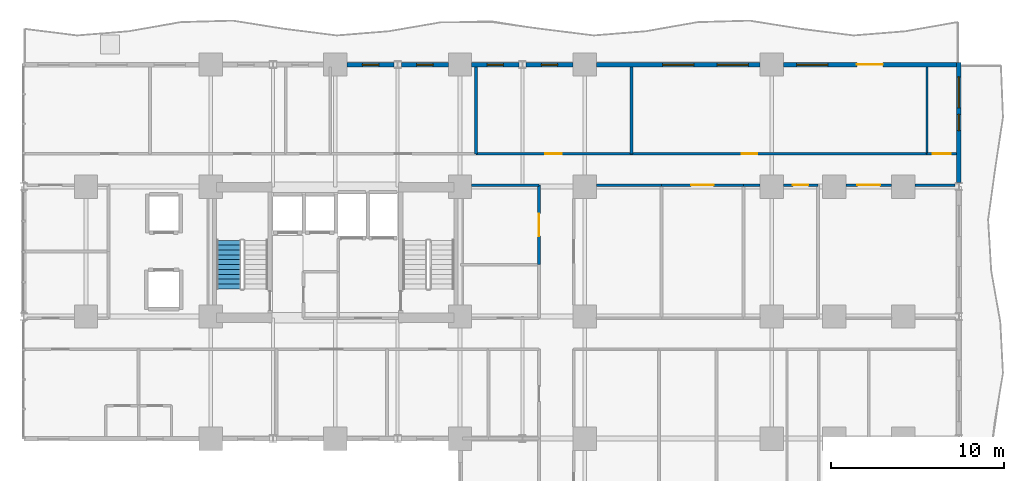
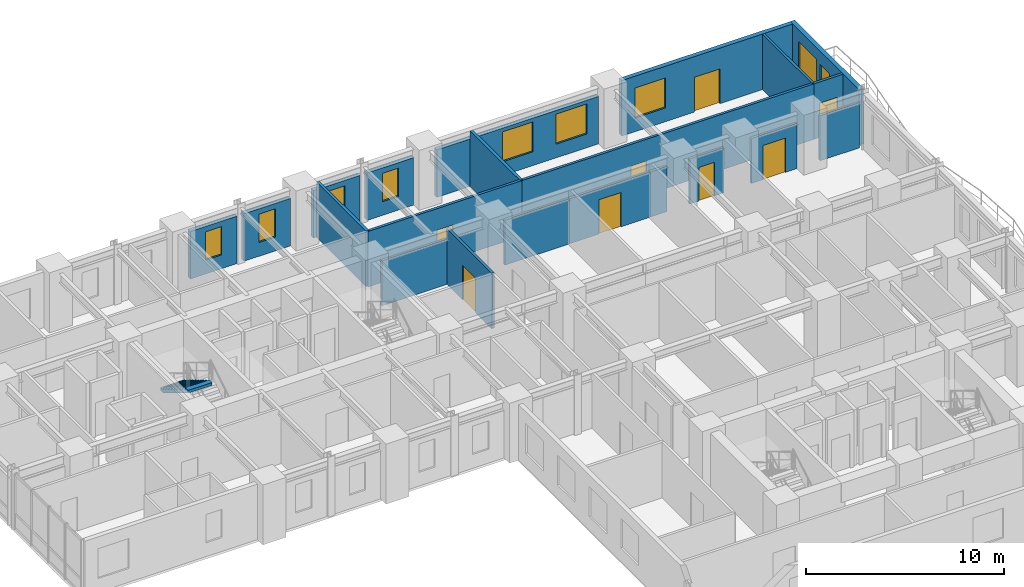
# One storey, part 15 of 19: 21 walls, 9 windows, 8 doors, 1 stair flight, 17 openings, 1 element without a shape of its own.
"""IFC4 building model written with IfcOpenShell, lengths in metres."""

from ifc_helpers import new_model, si_unit, direction, frame, frame_2d, origin, place, context, subcontext, project, spatial, polyline, rectangle, outline, extrude, material, layer, layer_set, type_object, element, fill, aggregate, save


model = new_model("IFC4")

# Units and contexts
model_context = context("Model", 3, precision=1e-05, world=origin(), true_north=direction((0.0, 1.0)))
body_context = subcontext(model_context, "Body", "Model", "MODEL_VIEW")
ifc_project = project(units=[si_unit("LENGTHUNIT", "METRE"), si_unit("AREAUNIT", "SQUARE_METRE"), si_unit("VOLUMEUNIT", "CUBIC_METRE"), si_unit("PLANEANGLEUNIT", "RADIAN"), si_unit("MASSUNIT", "GRAM", prefix="KILO")], contexts=[model_context])

# Site, building, storey
site_placement = place(None, origin())
site = spatial("IfcSite", under=ifc_project, at=site_placement, CompositionType="ELEMENT")
building_placement = place(site_placement, origin())
building = spatial("IfcBuilding", under=site, at=building_placement, Name="Kaliganga Portal Commons", CompositionType="ELEMENT")
storey_placement = place(building_placement, frame((0.0, 0.0, 32.699951171875)))
storey = spatial("IfcBuildingStorey", under=building, at=storey_placement, Name="L07", CompositionType="ELEMENT", Elevation=32.699951171875)

# Wall, openings, windows
ifc_material_1 = material(Name="Insulated Aluminium-Clad Spandrel Assembly", Category="aluminium")
ifc_layer_1 = layer(ifc_material_1, 0.260009765625)
ifc_layer_set_1 = layer_set([ifc_layer_1], Name="Insulated Aluminium-Clad Spandrel Assembly")
wall_type_1 = type_object("IfcWallType", Name="WL-EXT-SPAND-260", PredefinedType="STANDARD", material=ifc_layer_set_1)
wall_1_placement = place(storey_placement, frame((57.60009765625, 43.330078125, 0.0), z_axis=(0.0, 0.0, 1.0), x_axis=(0.0, -1.0, 0.0)))
wall_1 = element("IfcWall", 1, at=wall_1_placement, inside=storey, type_object=wall_type_1, Name="Exterior Envelope Wall L07 P1-E01-S6", PredefinedType="STANDARD", context=body_context, shape_type="SweptSolid", body=[
    extrude(rectangle(XDim=6.9560546875, YDim=0.260009765625, at=frame_2d((3.47802734375, 0.0))), origin(), (0.0, 0.0, 1.0), 3.429931640625),
])
opening_1_placement = place(wall_1_placement, frame((0.839111328125, 0.0, 0.85009765625)))
opening_1 = element("IfcOpeningElement", 2, at=opening_1_placement, cuts=wall_1, Name="Opening W-01", PredefinedType="OPENING", context=body_context, shape_type="SweptSolid", body=[
    extrude(rectangle(XDim=1.800048828125, YDim=1.85009765625, at=frame_2d((0.89990234375, 0.925048828125))), frame((0.0, 0.14013671875, 0.0), z_axis=(0.0, -1.0, 0.0), x_axis=(1.0, 0.0, 0.0)), (0.0, 0.0, 1.0), 0.280029296875),
])
opening_2_placement = place(wall_1_placement, frame((3.0029296875, 0.0, 0.85009765625)))
opening_2 = element("IfcOpeningElement", 3, at=opening_2_placement, cuts=wall_1, Name="Opening W-04", PredefinedType="OPENING", context=body_context, shape_type="SweptSolid", body=[
    extrude(rectangle(XDim=0.949951171875, YDim=1.75, at=frame_2d((0.47509765625, 0.875))), frame((0.0, 0.14013671875, 0.0), z_axis=(0.0, -1.0, 0.0), x_axis=(1.0, 0.0, 0.0)), (0.0, 0.0, 1.0), 0.280029296875),
])
ifc_material_2 = material(Name="Thermally Broken Aluminium and Low-E Double Glazing", Category="aluminium")
window_type_1 = type_object("IfcWindowType", Name="WIN-NARROW-950", PartitioningType="SINGLE_PANEL", PredefinedType="WINDOW", material=ifc_material_2)
window_1_placement = place(opening_2_placement, origin())
window_1 = element("IfcWindow", 4, at=window_1_placement, inside=storey, type_object=window_type_1, Name="Facade Window L07-P1E01S6-N0", OverallHeight=1.75, OverallWidth=0.949951171875, PartitioningType="SINGLE_PANEL", PredefinedType="WINDOW", context=body_context, shape_type="SweptSolid", body=[
    extrude(rectangle(XDim=0.949951171875, YDim=1.75, at=frame_2d((0.47509765625, 0.875))), frame((0.0, 0.030029296875, 0.0), z_axis=(0.0, -1.0, 0.0), x_axis=(1.0, 0.0, 0.0)), (0.0, 0.0, 1.0), 0.06005859375),
])
fill(opening_2, window_1)
window_type_2 = type_object("IfcWindowType", Name="WIN-STD-1800", PartitioningType="DOUBLE_PANEL_VERTICAL", PredefinedType="WINDOW", material=ifc_material_2)
window_2_placement = place(opening_1_placement, origin())
window_2 = element("IfcWindow", 5, at=window_2_placement, inside=storey, type_object=window_type_2, Name="Facade Window L07-P1E01S6-00", OverallHeight=1.85009765625, OverallWidth=1.800048828125, PartitioningType="SINGLE_PANEL", PredefinedType="WINDOW", context=body_context, shape_type="SweptSolid", body=[
    extrude(rectangle(XDim=1.800048828125, YDim=1.85009765625, at=frame_2d((0.89990234375, 0.925048828125))), frame((0.0, 0.030029296875, 0.0), z_axis=(0.0, -1.0, 0.0), x_axis=(1.0, 0.0, 0.0)), (0.0, 0.0, 1.0), 0.06005859375),
])
fill(opening_1, window_2)

# Wall, openings, door, window
wall_2_placement = place(storey_placement, frame((47.47607421875, 43.199951171875, 0.0), z_axis=(0.0, 0.0, 1.0), x_axis=(1.0, 0.0, 0.0)))
wall_2 = element("IfcWall", 6, at=wall_2_placement, inside=storey, type_object=wall_type_1, Name="Exterior Envelope Wall L07 P1-E02-S1", PredefinedType="STANDARD", context=body_context, shape_type="SweptSolid", body=[
    extrude(rectangle(XDim=9.989013671875, YDim=0.260009765625, at=frame_2d((4.99462890625, 0.0))), origin(), (0.0, 0.0, 1.0), 3.429931640625),
])
opening_3_placement = place(wall_2_placement, frame((4.2451171875, 0.0, 0.0)))
opening_3 = element("IfcOpeningElement", 7, at=opening_3_placement, cuts=wall_2, Name="Opening BD-01", PredefinedType="OPENING", context=body_context, shape_type="SweptSolid", body=[
    extrude(rectangle(XDim=1.5, YDim=2.14990234375, at=frame_2d((0.75, 1.074951171875))), frame((0.0, 0.14013671875, 0.0), z_axis=(0.0, -1.0, 0.0), x_axis=(1.0, 0.0, 0.0)), (0.0, 0.0, 1.0), 0.280029296875),
])
opening_4_placement = place(wall_2_placement, frame((0.764892578125, 0.0, 0.85009765625)))
opening_4 = element("IfcOpeningElement", 8, at=opening_4_placement, cuts=wall_2, Name="Opening W-01", PredefinedType="OPENING", context=body_context, shape_type="SweptSolid", body=[
    extrude(rectangle(XDim=1.800048828125, YDim=1.85009765625, at=frame_2d((0.89990234375, 0.925048828125))), frame((0.0, 0.14013671875, 0.0), z_axis=(0.0, -1.0, 0.0), x_axis=(1.0, 0.0, 0.0)), (0.0, 0.0, 1.0), 0.280029296875),
])
ifc_material_3 = material(Name="Anodized Aluminium and Laminated Safety Glass", Category="aluminium")
door_type_1 = type_object("IfcDoorType", Name="DR-BALC-1500", OperationType="SLIDING_TO_LEFT", PredefinedType="DOOR", material=ifc_material_3)
door_1_placement = place(opening_3_placement, origin())
door_1 = element("IfcDoor", 9, at=door_1_placement, inside=storey, type_object=door_type_1, Name="Balcony Sliding Door L07 balc_north", OperationType="SLIDING_TO_LEFT", OverallHeight=2.14990234375, OverallWidth=1.5, PredefinedType="DOOR", context=body_context, shape_type="SweptSolid", body=[
    extrude(rectangle(XDim=1.5, YDim=2.14990234375, at=frame_2d((0.75, 1.074951171875))), frame((0.0, 0.02490234375, 0.0), z_axis=(0.0, -1.0, 0.0), x_axis=(1.0, 0.0, 0.0)), (0.0, 0.0, 1.0), 0.050048828125),
])
fill(opening_3, door_1)
window_3_placement = place(opening_4_placement, origin())
window_3 = element("IfcWindow", 10, at=window_3_placement, inside=storey, type_object=window_type_2, Name="Facade Window L07-P1E02S1-00", OverallHeight=1.85009765625, OverallWidth=1.800048828125, PartitioningType="SINGLE_PANEL", PredefinedType="WINDOW", context=body_context, shape_type="SweptSolid", body=[
    extrude(rectangle(XDim=1.800048828125, YDim=1.85009765625, at=frame_2d((0.89990234375, 0.925048828125))), frame((0.0, 0.030029296875, 0.0), z_axis=(0.0, -1.0, 0.0), x_axis=(1.0, 0.0, 0.0)), (0.0, 0.0, 1.0), 0.06005859375),
])
fill(opening_4, window_3)

# Wall, openings, windows
wall_3_placement = place(storey_placement, frame((36.676025390625, 43.199951171875, 0.0), z_axis=(0.0, 0.0, 1.0), x_axis=(1.0, 0.0, 0.0)))
wall_3 = element("IfcWall", 11, at=wall_3_placement, inside=storey, type_object=wall_type_1, Name="Exterior Envelope Wall L07 P1-E02-S2", PredefinedType="STANDARD", context=body_context, shape_type="SweptSolid", body=[
    extrude(rectangle(XDim=9.447998046875, YDim=0.260009765625, at=frame_2d((4.72412109375, 0.0))), origin(), (0.0, 0.0, 1.0), 2.929931640625),
])
opening_5_placement = place(wall_3_placement, frame((3.823974609375, 0.0, 0.85009765625)))
opening_5 = element("IfcOpeningElement", 12, at=opening_5_placement, cuts=wall_3, Name="Opening W-01", PredefinedType="OPENING", context=body_context, shape_type="SweptSolid", body=[
    extrude(rectangle(XDim=1.800048828125, YDim=1.85009765625, at=frame_2d((0.89990234375, 0.925048828125))), frame((0.0, 0.14013671875, 0.0), z_axis=(0.0, -1.0, 0.0), x_axis=(1.0, 0.0, 0.0)), (0.0, 0.0, 1.0), 0.280029296875),
])
opening_6_placement = place(wall_3_placement, frame((6.973388671875, 0.0, 0.85009765625)))
opening_6 = element("IfcOpeningElement", 13, at=opening_6_placement, cuts=wall_3, Name="Opening W-01", PredefinedType="OPENING", context=body_context, shape_type="SweptSolid", body=[
    extrude(rectangle(XDim=1.800048828125, YDim=1.85009765625, at=frame_2d((0.89990234375, 0.925048828125))), frame((0.0, 0.14013671875, 0.0), z_axis=(0.0, -1.0, 0.0), x_axis=(1.0, 0.0, 0.0)), (0.0, 0.0, 1.0), 0.280029296875),
])
window_4_placement = place(opening_5_placement, origin())
window_4 = element("IfcWindow", 14, at=window_4_placement, inside=storey, type_object=window_type_2, Name="Facade Window L07-P1E02S2-01", OverallHeight=1.85009765625, OverallWidth=1.800048828125, PartitioningType="SINGLE_PANEL", PredefinedType="WINDOW", context=body_context, shape_type="SweptSolid", body=[
    extrude(rectangle(XDim=1.800048828125, YDim=1.85009765625, at=frame_2d((0.89990234375, 0.925048828125))), frame((0.0, 0.030029296875, 0.0), z_axis=(0.0, -1.0, 0.0), x_axis=(1.0, 0.0, 0.0)), (0.0, 0.0, 1.0), 0.06005859375),
])
fill(opening_5, window_4)
window_5_placement = place(opening_6_placement, origin())
window_5 = element("IfcWindow", 15, at=window_5_placement, inside=storey, type_object=window_type_2, Name="Facade Window L07-P1E02S2-02", OverallHeight=1.85009765625, OverallWidth=1.800048828125, PartitioningType="SINGLE_PANEL", PredefinedType="WINDOW", context=body_context, shape_type="SweptSolid", body=[
    extrude(rectangle(XDim=1.800048828125, YDim=1.85009765625, at=frame_2d((0.89990234375, 0.925048828125))), frame((0.0, 0.030029296875, 0.0), z_axis=(0.0, -1.0, 0.0), x_axis=(1.0, 0.0, 0.0)), (0.0, 0.0, 1.0), 0.06005859375),
])
fill(opening_6, window_5)

# Wall, opening, window
wall_4_placement = place(storey_placement, frame((32.60888671875, 43.199951171875, 0.0), z_axis=(0.0, 0.0, 1.0), x_axis=(1.0, 0.0, 0.0)))
wall_4 = element("IfcWall", 16, at=wall_4_placement, inside=storey, type_object=wall_type_1, Name="Exterior Envelope Wall L07 P1-E02-S3", PredefinedType="STANDARD", context=body_context, shape_type="SweptSolid", body=[
    extrude(rectangle(XDim=2.715087890625, YDim=0.260009765625, at=frame_2d((1.357421875, 0.0))), origin(), (0.0, 0.0, 1.0), 2.929931640625),
])
opening_7_placement = place(wall_4_placement, frame((0.882568359375, 0.0, 0.85009765625)))
opening_7 = element("IfcOpeningElement", 17, at=opening_7_placement, cuts=wall_4, Name="Opening W-04", PredefinedType="OPENING", context=body_context, shape_type="SweptSolid", body=[
    extrude(rectangle(XDim=0.949951171875, YDim=1.75, at=frame_2d((0.47509765625, 0.875))), frame((0.0, 0.14013671875, 0.0), z_axis=(0.0, -1.0, 0.0), x_axis=(1.0, 0.0, 0.0)), (0.0, 0.0, 1.0), 0.280029296875),
])
window_6_placement = place(opening_7_placement, origin())
window_6 = element("IfcWindow", 18, at=window_6_placement, inside=storey, type_object=window_type_1, Name="Facade Window L07-P1E02S3-00", OverallHeight=1.75, OverallWidth=0.949951171875, PartitioningType="SINGLE_PANEL", PredefinedType="WINDOW", context=body_context, shape_type="SweptSolid", body=[
    extrude(rectangle(XDim=0.949951171875, YDim=1.75, at=frame_2d((0.47509765625, 0.875))), frame((0.0, 0.030029296875, 0.0), z_axis=(0.0, -1.0, 0.0), x_axis=(1.0, 0.0, 0.0)), (0.0, 0.0, 1.0), 0.06005859375),
])
fill(opening_7, window_6)

wall_5_placement = place(storey_placement, frame((29.47607421875, 43.199951171875, 0.0), z_axis=(0.0, 0.0, 1.0), x_axis=(1.0, 0.0, 0.0)))
wall_5 = element("IfcWall", 19, at=wall_5_placement, inside=storey, type_object=wall_type_1, Name="Exterior Envelope Wall L07 P1-E02-S4", PredefinedType="STANDARD", context=body_context, shape_type="SweptSolid", body=[
    extrude(rectangle(XDim=2.71484375, YDim=0.260009765625, at=frame_2d((1.357421875, 0.0))), origin(), (0.0, 0.0, 1.0), 2.929931640625),
])
opening_8_placement = place(wall_5_placement, frame((0.882568359375, 0.0, 0.85009765625)))
opening_8 = element("IfcOpeningElement", 20, at=opening_8_placement, cuts=wall_5, Name="Opening W-04", PredefinedType="OPENING", context=body_context, shape_type="SweptSolid", body=[
    extrude(rectangle(XDim=0.949951171875, YDim=1.75, at=frame_2d((0.47509765625, 0.875))), frame((0.0, 0.14013671875, 0.0), z_axis=(0.0, -1.0, 0.0), x_axis=(1.0, 0.0, 0.0)), (0.0, 0.0, 1.0), 0.280029296875),
])
window_7_placement = place(opening_8_placement, origin())
window_7 = element("IfcWindow", 21, at=window_7_placement, inside=storey, type_object=window_type_1, Name="Facade Window L07-P1E02S4-00", OverallHeight=1.75, OverallWidth=0.949951171875, PartitioningType="SINGLE_PANEL", PredefinedType="WINDOW", context=body_context, shape_type="SweptSolid", body=[
    extrude(rectangle(XDim=0.949951171875, YDim=1.75, at=frame_2d((0.47509765625, 0.875))), frame((0.0, 0.030029296875, 0.0), z_axis=(0.0, -1.0, 0.0), x_axis=(1.0, 0.0, 0.0)), (0.0, 0.0, 1.0), 0.06005859375),
])
fill(opening_8, window_7)

wall_6_placement = place(storey_placement, frame((25.408935546875, 43.199951171875, 0.0), z_axis=(0.0, 0.0, 1.0), x_axis=(1.0, 0.0, 0.0)))
wall_6 = element("IfcWall", 22, at=wall_6_placement, inside=storey, type_object=wall_type_1, Name="Exterior Envelope Wall L07 P1-E02-S5", PredefinedType="STANDARD", context=body_context, shape_type="SweptSolid", body=[
    extrude(rectangle(XDim=2.715087890625, YDim=0.260009765625, at=frame_2d((1.357421875, 0.0))), origin(), (0.0, 0.0, 1.0), 2.929931640625),
])
opening_9_placement = place(wall_6_placement, frame((0.882568359375, 0.0, 0.85009765625)))
opening_9 = element("IfcOpeningElement", 23, at=opening_9_placement, cuts=wall_6, Name="Opening W-04", PredefinedType="OPENING", context=body_context, shape_type="SweptSolid", body=[
    extrude(rectangle(XDim=0.949951171875, YDim=1.75, at=frame_2d((0.47509765625, 0.875))), frame((0.0, 0.14013671875, 0.0), z_axis=(0.0, -1.0, 0.0), x_axis=(1.0, 0.0, 0.0)), (0.0, 0.0, 1.0), 0.280029296875),
])
window_8_placement = place(opening_9_placement, origin())
window_8 = element("IfcWindow", 24, at=window_8_placement, inside=storey, type_object=window_type_1, Name="Facade Window L07-P1E02S5-00", OverallHeight=1.75, OverallWidth=0.949951171875, PartitioningType="SINGLE_PANEL", PredefinedType="WINDOW", context=body_context, shape_type="SweptSolid", body=[
    extrude(rectangle(XDim=0.949951171875, YDim=1.75, at=frame_2d((0.47509765625, 0.875))), frame((0.0, 0.030029296875, 0.0), z_axis=(0.0, -1.0, 0.0), x_axis=(1.0, 0.0, 0.0)), (0.0, 0.0, 1.0), 0.06005859375),
])
fill(opening_9, window_8)

wall_7_placement = place(storey_placement, frame((22.27587890625, 43.199951171875, 0.0), z_axis=(0.0, 0.0, 1.0), x_axis=(1.0, 0.0, 0.0)))
wall_7 = element("IfcWall", 25, at=wall_7_placement, inside=storey, type_object=wall_type_1, Name="Exterior Envelope Wall L07 P1-E02-S6", PredefinedType="STANDARD", context=body_context, shape_type="SweptSolid", body=[
    extrude(rectangle(XDim=2.715087890625, YDim=0.260009765625, at=frame_2d((1.357421875, 0.0))), origin(), (0.0, 0.0, 1.0), 2.929931640625),
])
opening_10_placement = place(wall_7_placement, frame((0.882568359375, 0.0, 0.85009765625)))
opening_10 = element("IfcOpeningElement", 26, at=opening_10_placement, cuts=wall_7, Name="Opening W-04", PredefinedType="OPENING", context=body_context, shape_type="SweptSolid", body=[
    extrude(rectangle(XDim=0.949951171875, YDim=1.75, at=frame_2d((0.47509765625, 0.875))), frame((0.0, 0.14013671875, 0.0), z_axis=(0.0, -1.0, 0.0), x_axis=(1.0, 0.0, 0.0)), (0.0, 0.0, 1.0), 0.280029296875),
])
window_9_placement = place(opening_10_placement, origin())
window_9 = element("IfcWindow", 27, at=window_9_placement, inside=storey, type_object=window_type_1, Name="Facade Window L07-P1E02S6-00", OverallHeight=1.75, OverallWidth=0.949951171875, PartitioningType="SINGLE_PANEL", PredefinedType="WINDOW", context=body_context, shape_type="SweptSolid", body=[
    extrude(rectangle(XDim=0.949951171875, YDim=1.75, at=frame_2d((0.47509765625, 0.875))), frame((0.0, 0.030029296875, 0.0), z_axis=(0.0, -1.0, 0.0), x_axis=(1.0, 0.0, 0.0)), (0.0, 0.0, 1.0), 0.06005859375),
])
fill(opening_10, window_9)

# Wall, opening, door
ifc_material_4 = material(Name="Fire-Rated Gypsum Board on Steel Stud", Category="steel")
ifc_layer_2 = layer(ifc_material_4, 0.14990234375)
ifc_layer_set_2 = layer_set([ifc_layer_2], Name="Fire-Rated Gypsum Board on Steel Stud")
wall_type_2 = type_object("IfcWallType", Name="WL-PART-CORR-150", PredefinedType="PARTITIONING", material=ifc_layer_set_2)
wall_8_placement = place(storey_placement, frame((38.699951171875, 38.0400390625, 0.0), z_axis=(0.0, 0.0, 1.0), x_axis=(1.0, 0.0, 0.0)))
wall_8 = element("IfcWall", 28, at=wall_8_placement, inside=storey, type_object=wall_type_2, Name="Interior Partition L07-006", PredefinedType="PARTITIONING", context=body_context, shape_type="SweptSolid", body=[
    extrude(rectangle(XDim=17.06005859375, YDim=0.14990234375, at=frame_2d((8.530029296875, 0.0))), origin(), (0.0, 0.0, 1.0), 3.429931640625),
])
opening_11_placement = place(wall_8_placement, frame((6.3740234375, 0.0, 0.0)))
opening_11 = element("IfcOpeningElement", 29, at=opening_11_placement, cuts=wall_8, Name="Opening RD-01", PredefinedType="OPENING", context=body_context, shape_type="SweptSolid", body=[
    extrude(rectangle(XDim=0.89990234375, YDim=2.080078125, at=frame_2d((0.449951171875, 1.0400390625))), frame((0.0, 0.0849609375, 0.0), z_axis=(0.0, -1.0, 0.0), x_axis=(1.0, 0.0, 0.0)), (0.0, 0.0, 1.0), 0.169921875),
])
ifc_material_5 = material(Name="Engineered Timber Flush Door", Category="wood")
door_type_2 = type_object("IfcDoorType", Name="DR-ROOM-900", OperationType="NOTDEFINED", PredefinedType="DOOR", material=ifc_material_5)
door_2_placement = place(opening_11_placement, origin())
door_2 = element("IfcDoor", 30, at=door_2_placement, inside=storey, type_object=door_type_2, Name="Interior Door L07-AN06", OperationType="SINGLE_SWING_LEFT", OverallHeight=2.080078125, OverallWidth=0.89990234375, PredefinedType="DOOR", context=body_context, shape_type="SweptSolid", body=[
    extrude(rectangle(XDim=0.89990234375, YDim=2.080078125, at=frame_2d((0.449951171875, 1.0400390625))), frame((0.0, 0.02490234375, 0.0), z_axis=(0.0, -1.0, 0.0), x_axis=(1.0, 0.0, 0.0)), (0.0, 0.0, 1.0), 0.050048828125),
])
fill(opening_11, door_2)

wall_9_placement = place(storey_placement, frame((29.719970703125, 38.0400390625, 0.0), z_axis=(0.0, 0.0, 1.0), x_axis=(1.0, 0.0, 0.0)))
wall_9 = element("IfcWall", 31, at=wall_9_placement, inside=storey, type_object=wall_type_2, Name="Interior Partition L07-010", PredefinedType="PARTITIONING", context=body_context, shape_type="SweptSolid", body=[
    extrude(rectangle(XDim=8.97998046875, YDim=0.14990234375, at=frame_2d((4.489990234375, 0.0))), origin(), (0.0, 0.0, 1.0), 3.429931640625),
])
opening_12_placement = place(wall_9_placement, frame((4.014892578125, 0.0, 0.0)))
opening_12 = element("IfcOpeningElement", 32, at=opening_12_placement, cuts=wall_9, Name="Opening UD-01", PredefinedType="OPENING", context=body_context, shape_type="SweptSolid", body=[
    extrude(rectangle(XDim=0.949951171875, YDim=2.10009765625, at=frame_2d((0.47509765625, 1.050048828125))), frame((0.0, 0.0849609375, 0.0), z_axis=(0.0, -1.0, 0.0), x_axis=(1.0, 0.0, 0.0)), (0.0, 0.0, 1.0), 0.169921875),
])
ifc_material_6 = material(Name="Solid-Core Timber Acoustic Fire Door", Category="wood")
door_type_3 = type_object("IfcDoorType", Name="DR-UNIT-950", OperationType="NOTDEFINED", PredefinedType="DOOR", material=ifc_material_6)
door_3_placement = place(opening_12_placement, origin())
door_3 = element("IfcDoor", 33, at=door_3_placement, inside=storey, type_object=door_type_3, Name="Interior Door L07-AN05", OperationType="SINGLE_SWING_RIGHT", OverallHeight=2.10009765625, OverallWidth=0.949951171875, PredefinedType="DOOR", context=body_context, shape_type="SweptSolid", body=[
    extrude(rectangle(XDim=0.949951171875, YDim=2.10009765625, at=frame_2d((0.47509765625, 1.050048828125))), frame((0.0, 0.02490234375, 0.0), z_axis=(0.0, -1.0, 0.0), x_axis=(1.0, 0.0, 0.0)), (0.0, 0.0, 1.0), 0.050048828125),
])
fill(opening_12, door_3)

wall_10_placement = place(storey_placement, frame((51.074951171875, 36.239990234375, 0.0), z_axis=(0.0, 0.0, 1.0), x_axis=(1.0, 0.0, 0.0)))
wall_10 = element("IfcWall", 34, at=wall_10_placement, inside=storey, type_object=wall_type_2, Name="Interior Partition L07-013", PredefinedType="PARTITIONING", context=body_context, shape_type="SweptSolid", body=[
    extrude(rectangle(XDim=2.650146484375, YDim=0.14990234375, at=frame_2d((1.3251953125, 0.0))), origin(), (0.0, 0.0, 1.0), 2.780029296875),
])
opening_13_placement = place(wall_10_placement, frame((0.675048828125, 0.0, 0.0)))
opening_13 = element("IfcOpeningElement", 35, at=opening_13_placement, cuts=wall_10, Name="Opening RD-03", PredefinedType="OPENING", context=body_context, shape_type="SweptSolid", body=[
    extrude(rectangle(XDim=1.300048828125, YDim=2.1201171875, at=frame_2d((0.64990234375, 1.06005859375))), frame((0.0, 0.0849609375, 0.0), z_axis=(0.0, -1.0, 0.0), x_axis=(1.0, 0.0, 0.0)), (0.0, 0.0, 1.0), 0.169921875),
])
ifc_material_7 = material(Name="Glazed Timber Seminar Vision Door", Category="wood")
door_type_4 = type_object("IfcDoorType", Name="DR-STUDY-1300", OperationType="DOUBLE_DOOR_SINGLE_SWING", PredefinedType="DOOR", material=ifc_material_7)
door_4_placement = place(opening_13_placement, origin())
door_4 = element("IfcDoor", 36, at=door_4_placement, inside=storey, type_object=door_type_4, Name="Interior Door L07-BK04", OperationType="DOUBLE_DOOR_SINGLE_SWING", OverallHeight=2.1201171875, OverallWidth=1.300048828125, PredefinedType="DOOR", context=body_context, shape_type="SweptSolid", body=[
    extrude(rectangle(XDim=1.300048828125, YDim=2.1201171875, at=frame_2d((0.64990234375, 1.06005859375))), frame((0.0, 0.02490234375, 0.0), z_axis=(0.0, -1.0, 0.0), x_axis=(1.0, 0.0, 0.0)), (0.0, 0.0, 1.0), 0.050048828125),
])
fill(opening_13, door_4)

# Walls
wall_11_placement = place(storey_placement, frame((55.074951171875, 36.239990234375, 0.0), z_axis=(0.0, 0.0, 1.0), x_axis=(1.0, 0.0, 0.0)))
element("IfcWall", 37, at=wall_11_placement, inside=storey, type_object=wall_type_2, Name="Interior Partition L07-014", PredefinedType="PARTITIONING", context=body_context, shape_type="SweptSolid", body=[
    extrude(rectangle(XDim=2.317138671875, YDim=0.14990234375, at=frame_2d((1.15869140625, 0.0))), origin(), (0.0, 0.0, 1.0), 2.780029296875),
])
wall_12_placement = place(storey_placement, frame((36.675048828125, 36.239990234375, 0.0), z_axis=(0.0, 0.0, 1.0), x_axis=(1.0, 0.0, 0.0)))
element("IfcWall", 38, at=wall_12_placement, inside=storey, type_object=wall_type_2, Name="Interior Partition L07-031", PredefinedType="PARTITIONING", context=body_context, shape_type="SweptSolid", body=[
    extrude(rectangle(XDim=3.764892578125, YDim=0.14990234375, at=frame_2d((1.88232421875, 0.0))), origin(), (0.0, 0.0, 1.0), 2.780029296875),
])

# Wall, opening, door
wall_13_placement = place(storey_placement, frame((40.43994140625, 36.239990234375, 0.0), z_axis=(0.0, 0.0, 1.0), x_axis=(1.0, 0.0, 0.0)))
wall_13 = element("IfcWall", 39, at=wall_13_placement, inside=storey, type_object=wall_type_2, Name="Interior Partition L07-037", PredefinedType="PARTITIONING", context=body_context, shape_type="SweptSolid", body=[
    extrude(rectangle(XDim=4.719970703125, YDim=0.14990234375, at=frame_2d((2.35986328125, 0.0))), origin(), (0.0, 0.0, 1.0), 2.780029296875),
])
opening_14_placement = place(wall_13_placement, frame((1.7099609375, 0.0, 0.0)))
opening_14 = element("IfcOpeningElement", 40, at=opening_14_placement, cuts=wall_13, Name="Opening RD-03", PredefinedType="OPENING", context=body_context, shape_type="SweptSolid", body=[
    extrude(rectangle(XDim=1.300048828125, YDim=2.1201171875, at=frame_2d((0.64990234375, 1.06005859375))), frame((0.0, 0.0849609375, 0.0), z_axis=(0.0, -1.0, 0.0), x_axis=(1.0, 0.0, 0.0)), (0.0, 0.0, 1.0), 0.169921875),
])
door_5_placement = place(opening_14_placement, origin())
door_5 = element("IfcDoor", 41, at=door_5_placement, inside=storey, type_object=door_type_4, Name="Interior Door L07-BK02", OperationType="DOUBLE_DOOR_SINGLE_SWING", OverallHeight=2.1201171875, OverallWidth=1.300048828125, PredefinedType="DOOR", context=body_context, shape_type="SweptSolid", body=[
    extrude(rectangle(XDim=1.300048828125, YDim=2.1201171875, at=frame_2d((0.64990234375, 1.06005859375))), frame((0.0, 0.02490234375, 0.0), z_axis=(0.0, -1.0, 0.0), x_axis=(1.0, 0.0, 0.0)), (0.0, 0.0, 1.0), 0.050048828125),
])
fill(opening_14, door_5)

wall_14_placement = place(storey_placement, frame((33.360107421875, 31.639892578125, 0.0), z_axis=(0.0, 0.0, 1.0), x_axis=(0.0, 1.0, 0.0)))
wall_14 = element("IfcWall", 42, at=wall_14_placement, inside=storey, type_object=wall_type_2, Name="Interior Partition L07-038", PredefinedType="PARTITIONING", context=body_context, shape_type="SweptSolid", body=[
    extrude(rectangle(XDim=4.60009765625, YDim=0.14990234375, at=frame_2d((2.300048828125, 0.0))), origin(), (0.0, 0.0, 1.0), 3.429931640625),
])
opening_15_placement = place(wall_14_placement, frame((1.64990234375, 0.0, 0.0)))
opening_15 = element("IfcOpeningElement", 43, at=opening_15_placement, cuts=wall_14, Name="Opening RD-03", PredefinedType="OPENING", context=body_context, shape_type="SweptSolid", body=[
    extrude(rectangle(XDim=1.300048828125, YDim=2.1201171875, at=frame_2d((0.64990234375, 1.06005859375))), frame((0.0, 0.0849609375, 0.0), z_axis=(0.0, -1.0, 0.0), x_axis=(1.0, 0.0, 0.0)), (0.0, 0.0, 1.0), 0.169921875),
])
door_6_placement = place(opening_15_placement, origin())
door_6 = element("IfcDoor", 44, at=door_6_placement, inside=storey, type_object=door_type_4, Name="Interior Door L07-CSRV_A2", OperationType="DOUBLE_DOOR_SINGLE_SWING", OverallHeight=2.1201171875, OverallWidth=1.300048828125, PredefinedType="DOOR", context=body_context, shape_type="SweptSolid", body=[
    extrude(rectangle(XDim=1.300048828125, YDim=2.1201171875, at=frame_2d((0.64990234375, 1.06005859375))), frame((0.0, 0.02490234375, 0.0), z_axis=(0.0, -1.0, 0.0), x_axis=(1.0, 0.0, 0.0)), (0.0, 0.0, 1.0), 0.050048828125),
])
fill(opening_15, door_6)

# Walls
wall_15_placement = place(storey_placement, frame((29.47509765625, 36.239990234375, 0.0), z_axis=(0.0, 0.0, 1.0), x_axis=(1.0, 0.0, 0.0)))
element("IfcWall", 45, at=wall_15_placement, inside=storey, type_object=wall_type_2, Name="Interior Partition L07-041", PredefinedType="PARTITIONING", context=body_context, shape_type="SweptSolid", body=[
    extrude(rectangle(XDim=3.885009765625, YDim=0.14990234375, at=frame_2d((1.9423828125, 0.0))), origin(), (0.0, 0.0, 1.0), 2.780029296875),
])
wall_16_placement = place(storey_placement, frame((45.159912109375, 36.239990234375, 0.0), z_axis=(0.0, 0.0, 1.0), x_axis=(1.0, 0.0, 0.0)))
element("IfcWall", 46, at=wall_16_placement, inside=storey, type_object=wall_type_2, Name="Interior Partition L07-042", PredefinedType="PARTITIONING", context=body_context, shape_type="SweptSolid", body=[
    extrude(rectangle(XDim=0.965087890625, YDim=0.14990234375, at=frame_2d((0.482421875, 0.0))), origin(), (0.0, 0.0, 1.0), 2.780029296875),
])

# Wall, opening, door
wall_17_placement = place(storey_placement, frame((47.47509765625, 36.239990234375, 0.0), z_axis=(0.0, 0.0, 1.0), x_axis=(1.0, 0.0, 0.0)))
wall_17 = element("IfcWall", 47, at=wall_17_placement, inside=storey, type_object=wall_type_2, Name="Interior Partition L07-043", PredefinedType="PARTITIONING", context=body_context, shape_type="SweptSolid", body=[
    extrude(rectangle(XDim=1.98486328125, YDim=0.14990234375, at=frame_2d((0.992431640625, 0.0))), origin(), (0.0, 0.0, 1.0), 2.780029296875),
])
opening_16_placement = place(wall_17_placement, frame((0.54248046875, 0.0, 0.0)))
opening_16 = element("IfcOpeningElement", 48, at=opening_16_placement, cuts=wall_17, Name="Opening RD-01", PredefinedType="OPENING", context=body_context, shape_type="SweptSolid", body=[
    extrude(rectangle(XDim=0.89990234375, YDim=2.080078125, at=frame_2d((0.449951171875, 1.0400390625))), frame((0.0, 0.0849609375, 0.0), z_axis=(0.0, -1.0, 0.0), x_axis=(1.0, 0.0, 0.0)), (0.0, 0.0, 1.0), 0.169921875),
])
door_7_placement = place(opening_16_placement, origin())
door_7 = element("IfcDoor", 49, at=door_7_placement, inside=storey, type_object=door_type_2, Name="Interior Door L07-BK03", OperationType="SINGLE_SWING_LEFT", OverallHeight=2.080078125, OverallWidth=0.89990234375, PredefinedType="DOOR", context=body_context, shape_type="SweptSolid", body=[
    extrude(rectangle(XDim=0.89990234375, YDim=2.080078125, at=frame_2d((0.449951171875, 1.0400390625))), frame((0.0, 0.02490234375, 0.0), z_axis=(0.0, -1.0, 0.0), x_axis=(1.0, 0.0, 0.0)), (0.0, 0.0, 1.0), 0.050048828125),
])
fill(opening_16, door_7)

wall_18_placement = place(storey_placement, frame((55.760009765625, 38.0400390625, 0.0), z_axis=(0.0, 0.0, 1.0), x_axis=(1.0, 0.0, 0.0)))
wall_18 = element("IfcWall", 50, at=wall_18_placement, inside=storey, type_object=wall_type_2, Name="Interior Partition L07-057", PredefinedType="PARTITIONING", context=body_context, shape_type="SweptSolid", body=[
    extrude(rectangle(XDim=1.7080078125, YDim=0.14990234375, at=frame_2d((0.85400390625, 0.0))), origin(), (0.0, 0.0, 1.0), 3.429931640625),
])
opening_17_placement = place(wall_18_placement, frame((0.3291015625, 0.0, 0.0)))
opening_17 = element("IfcOpeningElement", 51, at=opening_17_placement, cuts=wall_18, Name="Opening UD-02", PredefinedType="OPENING", context=body_context, shape_type="SweptSolid", body=[
    extrude(rectangle(XDim=1.050048828125, YDim=2.1201171875, at=frame_2d((0.52490234375, 1.06005859375))), frame((0.0, 0.0849609375, 0.0), z_axis=(0.0, -1.0, 0.0), x_axis=(1.0, 0.0, 0.0)), (0.0, 0.0, 1.0), 0.169921875),
])
ifc_material_8 = material(Name="Accessible Wide-Leaf Acoustic Fire Door", Category="wood")
door_type_5 = type_object("IfcDoorType", Name="DR-ACC-1050", OperationType="NOTDEFINED", PredefinedType="DOOR", material=ifc_material_8)
door_8_placement = place(opening_17_placement, origin())
door_8 = element("IfcDoor", 52, at=door_8_placement, inside=storey, type_object=door_type_5, Name="Interior Door L07-AN07", OperationType="SINGLE_SWING_RIGHT", OverallHeight=2.1201171875, OverallWidth=1.050048828125, PredefinedType="DOOR", context=body_context, shape_type="SweptSolid", body=[
    extrude(rectangle(XDim=1.050048828125, YDim=2.1201171875, at=frame_2d((0.52490234375, 1.06005859375))), frame((0.0, 0.02490234375, 0.0), z_axis=(0.0, -1.0, 0.0), x_axis=(1.0, 0.0, 0.0)), (0.0, 0.0, 1.0), 0.050048828125),
])
fill(opening_17, door_8)

# Walls
ifc_material_9 = material(Name="Twin-Stud Acoustic Gypsum Partition", Category="gypsum")
ifc_layer_3 = layer(ifc_material_9, 0.1650390625)
ifc_layer_set_3 = layer_set([ifc_layer_3], Name="Twin-Stud Acoustic Gypsum Partition")
wall_type_3 = type_object("IfcWallType", Name="WL-PART-UNIT-165", PredefinedType="PARTITIONING", material=ifc_layer_set_3)
for number, where, z_axis, x_axis, name in (
    (53, (29.719970703125, 38.0400390625, 0.0), (0.0, 0.0, 1.0), (0.0, 1.0, 0.0), "Interior Partition L07-072"),
    (54, (38.699951171875, 38.0400390625, 0.0), (0.0, 0.0, 1.0), (0.0, 1.0, 0.0), "Interior Partition L07-073"),
):
    element("IfcWall", number, at=place(storey_placement, frame(where, z_axis=z_axis, x_axis=x_axis)), inside=storey, type_object=wall_type_3, Name=name, PredefinedType="PARTITIONING", context=body_context, shape_type="SweptSolid", body=[
        extrude(rectangle(XDim=5.028076171875, YDim=0.1650390625, at=frame_2d((2.51416015625, 0.0))), origin(), (0.0, 0.0, 1.0), 3.429931640625),
    ])
ifc_material_10 = material(Name="Cement-Board Wet-Room Partition", Category="gypsum")
ifc_layer_4 = layer(ifc_material_10, 0.135009765625)
ifc_layer_set_4 = layer_set([ifc_layer_4], Name="Cement-Board Wet-Room Partition")
wall_type_4 = type_object("IfcWallType", Name="WL-PART-WET-135", PredefinedType="PARTITIONING", material=ifc_layer_set_4)
wall_19_placement = place(storey_placement, frame((55.760009765625, 38.0400390625, 0.0), z_axis=(0.0, 0.0, 1.0), x_axis=(0.0, 1.0, 0.0)))
element("IfcWall", 55, at=wall_19_placement, inside=storey, type_object=wall_type_4, Name="Interior Partition L07-074", PredefinedType="PARTITIONING", context=body_context, shape_type="SweptSolid", body=[
    extrude(rectangle(XDim=5.028076171875, YDim=0.135009765625, at=frame_2d((2.51416015625, 0.0))), origin(), (0.0, 0.0, 1.0), 3.429931640625),
])

# Stair, stair flight
ifc_material_11 = material(Name="Concrete C40/50", Category="concrete")
stair_type = type_object("IfcStairType", Name="ST-CORE-DOGLEG", PredefinedType="HALF_TURN_STAIR", material=ifc_material_11)
stair_placement = place(storey_placement, origin())
stair = element("IfcStair", 56, at=stair_placement, inside=storey, type_object=stair_type, Name="L07 Protected Exit Stair ST-A1", PredefinedType="HALF_TURN_STAIR")
stair_flight_type = type_object("IfcStairFlightType", Name="STF-RC-1400", PredefinedType="STRAIGHT", material=ifc_material_11)
stair_flight_placement = place(storey_placement, frame((15.449951171875, 33.050048828125, 1.85009765625), z_axis=(0.0, 0.0, 1.0), x_axis=(0.0, -1.0, 0.0)))
stair_flight = element("IfcStairFlight", 57, at=stair_flight_placement, type_object=stair_flight_type, Name="ST-A1 flight 2", NumberOfRisers=11, NumberOfTreads=10, PredefinedType="STRAIGHT", RiserHeight=0.168181818, TreadLength=0.28, context=body_context, shape_type="SweptSolid", body=[
    extrude(outline(polyline([(0.0, 0.0), (0.0, 0.168212890625), (0.280029296875, 0.168212890625), (0.280029296875, 0.33642578125), (0.56005859375, 0.33642578125), (0.56005859375, 0.504638671875), (0.840087890625, 0.504638671875), (0.840087890625, 0.672607421875), (1.1201171875, 0.672607421875), (1.1201171875, 0.8408203125), (1.39990234375, 0.8408203125), (1.39990234375, 1.009033203125), (1.679931640625, 1.009033203125), (1.679931640625, 1.17724609375), (1.9599609375, 1.17724609375), (1.9599609375, 1.345458984375), (2.239990234375, 1.345458984375), (2.239990234375, 1.513671875), (2.52001953125, 1.513671875), (2.52001953125, 1.681884765625), (2.800048828125, 1.681884765625), (2.800048828125, 1.85009765625), (2.800048828125, 1.5068359375), (0.291015625, 0.0), (0.0, 0.0)])), frame((0.0, 0.699951171875, 0.0), z_axis=(0.0, -1.0, 0.0), x_axis=(1.0, 0.0, 0.0)), (0.0, 0.0, 1.0), 1.39990234375),
])
aggregate(stair, [stair_flight])

save(model, "model.ifc")
